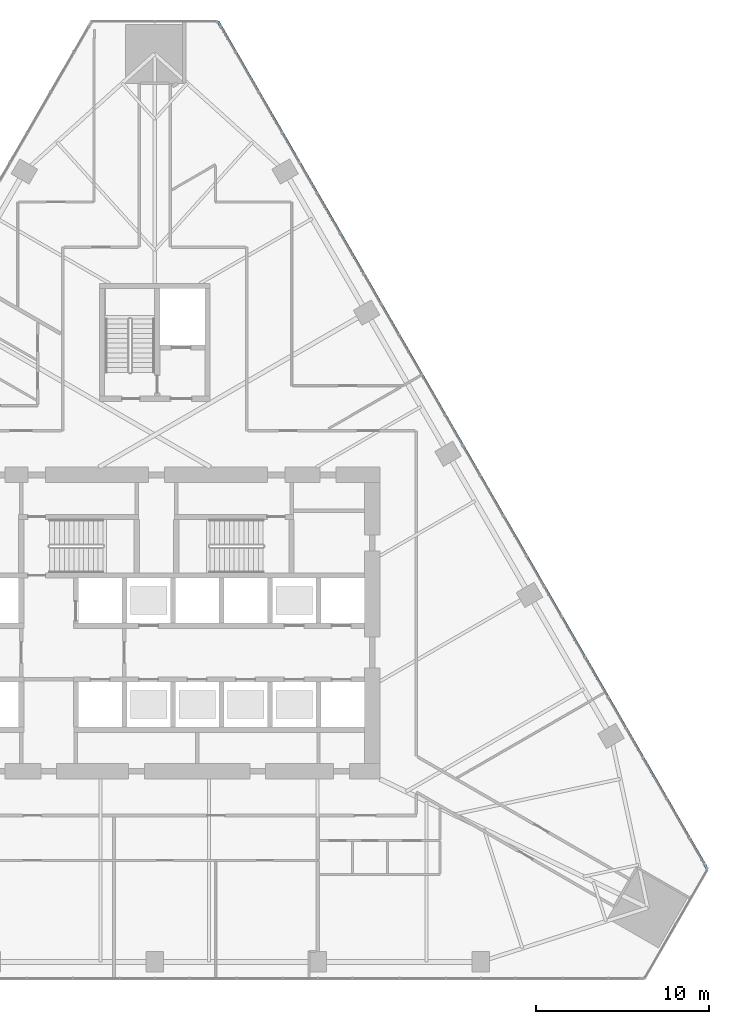
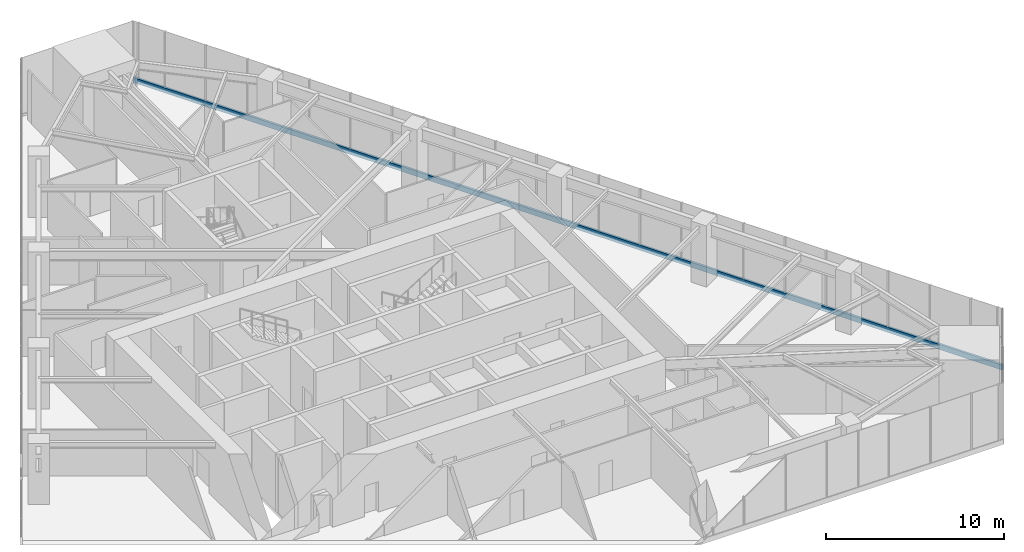
# One storey, part 8 of 21: 1 member, 1 element without a shape of its own.
"""IFC4 building model written with IfcOpenShell, lengths in metres."""

from ifc_helpers import new_model, si_unit, direction, frame, origin, origin_2d, place, context, subcontext, project, spatial, rectangle, extrude, material, layer, layer_set, material_profile, profile_set, type_object, element, aggregate, save


model = new_model("IFC4")

# Units and contexts
model_context = context("Model", 3, precision=1e-05, world=origin(), true_north=direction((0.0, 1.0)))
body_context = subcontext(model_context, "Body", "Model", "MODEL_VIEW")
ifc_project = project(units=[si_unit("LENGTHUNIT", "METRE"), si_unit("AREAUNIT", "SQUARE_METRE"), si_unit("VOLUMEUNIT", "CUBIC_METRE"), si_unit("PLANEANGLEUNIT", "RADIAN"), si_unit("MASSUNIT", "GRAM", prefix="KILO")], contexts=[model_context])

# Site, building, storey
site_placement = place(None, origin())
site = spatial("IfcSite", under=ifc_project, at=site_placement, CompositionType="ELEMENT")
building_placement = place(site_placement, origin())
building = spatial("IfcBuilding", under=site, at=building_placement, Name="Firuza Gate Tower and Library", CompositionType="ELEMENT")
storey_placement = place(building_placement, frame((0.0, 0.0, 98.800048828125)))
storey = spatial("IfcBuildingStorey", under=building, at=storey_placement, Name="L22", CompositionType="ELEMENT", Elevation=98.800048828125)

# Curtain wall, member
ifc_material_1 = material(Name="Aluminium 6063-T6", Category="aluminium")
ifc_layer = layer(ifc_material_1, 0.14990234375)
ifc_layer_set = layer_set([ifc_layer], Name="Unitised curtain wall, offices")
curtain_wall_type = type_object("IfcCurtainWallType", Name="Unitised curtain wall, offices", PredefinedType="NOTDEFINED", material=ifc_layer_set)
curtain_wall_placement = place(storey_placement, origin())
curtain_wall = element("IfcCurtainWall", 1, at=curtain_wall_placement, inside=storey, type_object=curtain_wall_type, Name="CW1 L22 E face", PredefinedType="NOTDEFINED")
ifc_material_2 = material(Name="Aluminium 6063-T6", Category="aluminium")
ifc_material_profile = material_profile(ifc_material_2, rectangle(XDim=0.14990234375, YDim=0.35009765625, at=origin_2d()))
ifc_profile_set = profile_set([ifc_material_profile], Name="Aluminium 6063-T6")
member_type = type_object("IfcMemberType", Name="Curtain wall transom 350x150", PredefinedType="USERDEFINED", material=ifc_profile_set)
member_placement = place(storey_placement, frame((106.896728515625, 60.791259765625, -0.025146484375), z_axis=(-0.499998712401, 0.866026147179, 0.0), x_axis=(-0.866026147179, -0.499998712401, 0.0)))
member = element("IfcMember", 2, at=member_placement, type_object=member_type, Name="Transom", ObjectType="TRANSOM", PredefinedType="USERDEFINED", context=body_context, shape_type="SweptSolid", body=[
    extrude(rectangle(XDim=0.14990234375, YDim=0.35009765625, at=origin_2d()), origin(), (0.0, 0.0, 1.0), 56.507080078125),
])
aggregate(curtain_wall, [member])

save(model, "model.ifc")
